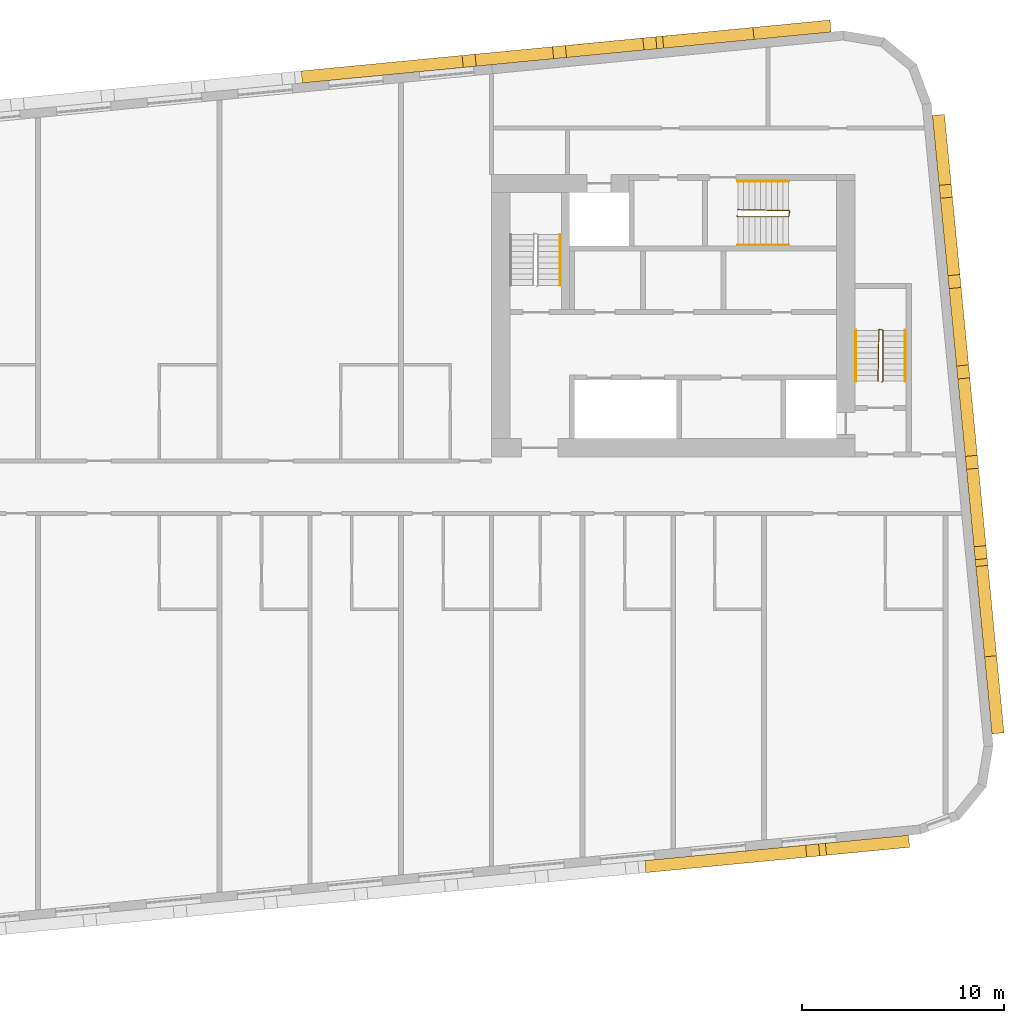
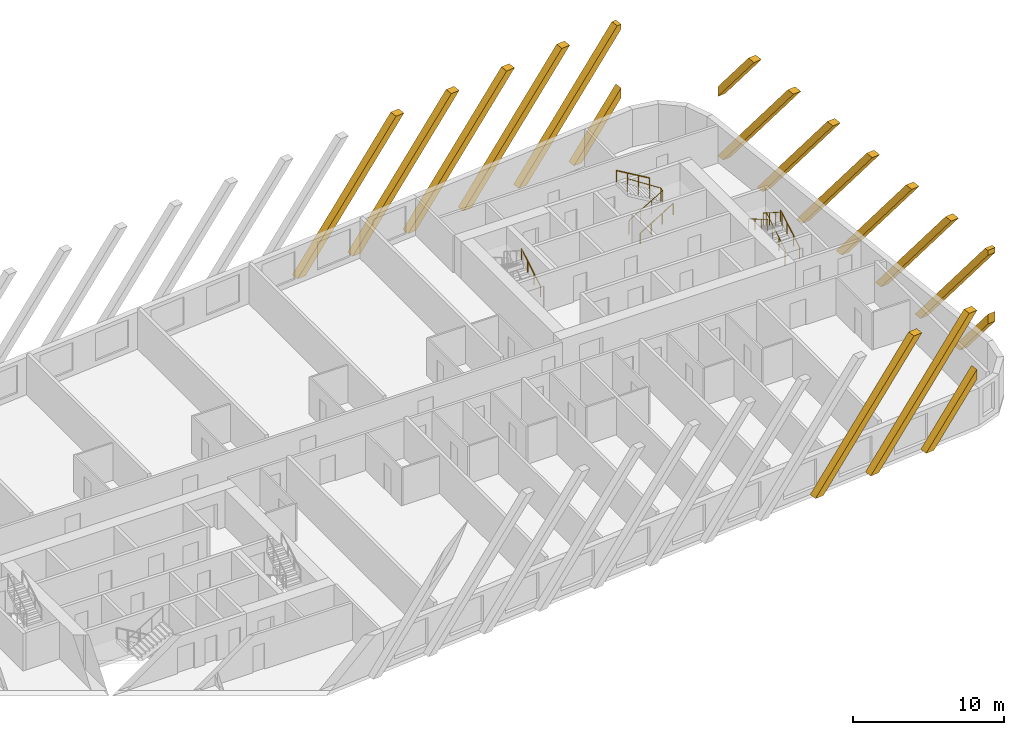
# One storey, part 12 of 12: 17 coverings, 7 railings.
"""IFC4 building model written with IfcOpenShell, lengths in metres."""

from ifc_helpers import new_model, si_unit, direction, frame, origin, origin_2d, place, context, subcontext, project, spatial, polyline, rectangle, circle, outline, extrude, material, material_profile, profile_set, type_object, element, save


model = new_model("IFC4")

# Units and contexts
model_context = context("Model", 3, precision=1e-05, world=origin(), true_north=direction((0.0, 1.0)))
body_context = subcontext(model_context, "Body", "Model", "MODEL_VIEW")
ifc_project = project(units=[si_unit("LENGTHUNIT", "METRE"), si_unit("AREAUNIT", "SQUARE_METRE"), si_unit("VOLUMEUNIT", "CUBIC_METRE"), si_unit("PLANEANGLEUNIT", "RADIAN"), si_unit("MASSUNIT", "GRAM", prefix="KILO")], contexts=[model_context])

# Site, building, storey
site_placement = place(None, origin())
site = spatial("IfcSite", under=ifc_project, at=site_placement, CompositionType="ELEMENT")
building_placement = place(site_placement, origin())
building = spatial("IfcBuilding", under=site, at=building_placement, Name="Kajstack Hotel Tower", CompositionType="ELEMENT")
storey_placement = place(building_placement, frame((0.0, 0.0, 278.39990234375)))
storey = spatial("IfcBuildingStorey", under=building, at=storey_placement, Name="L69", CompositionType="ELEMENT", Elevation=278.39990234375)

# Coverings
ifc_material_1 = material(Name="Terracotta", Category="masonry")
ifc_material_profile = material_profile(ifc_material_1, rectangle(XDim=0.60009765625, YDim=0.5, at=origin_2d()), Name="Terracotta-clad concrete baguette 500 x 600")
ifc_profile_set = profile_set([ifc_material_profile], Name="Terracotta")
covering_type = type_object("IfcCoveringType", Name="BAGUETTE 500x600", PredefinedType="CLADDING", material=ifc_profile_set)
covering_1_placement = place(storey_placement, frame((21.082763671875, -18.51806640625, 0.0), z_axis=(0.095634862357, -0.995416482233, 0.0), x_axis=(0.995416482233, 0.095634862357, 0.0)))
element("IfcCovering", 1, at=covering_1_placement, inside=storey, type_object=covering_type, Name="Baguette L69-04-053", PredefinedType="CLADDING", context=body_context, shape_type="SweptSolid", body=[
    extrude(outline(polyline([(8.016845703125, 9.89990234375), (0.0, 0.0), (0.643310546875, 0.0), (8.66015625, 9.89990234375), (8.016845703125, 9.89990234375)])), origin(), (0.0, 0.0, 1.0), 0.599853515625),
])
covering_2_placement = place(storey_placement, frame((25.56201171875, -18.086669921875, 0.0), z_axis=(0.095634862357, -0.995416482233, 0.0), x_axis=(0.995416482233, 0.095634862357, 0.0)))
element("IfcCovering", 2, at=covering_2_placement, inside=storey, type_object=covering_type, Name="Baguette L69-04-057", PredefinedType="CLADDING", context=body_context, shape_type="SweptSolid", body=[
    extrude(outline(polyline([(0.643310546875, 0.0), (8.638671875, 9.873291015625), (8.638671875, 9.89990234375), (8.016845703125, 9.89990234375), (0.0, 0.0), (0.643310546875, 0.0)])), origin(), (0.0, 0.0, 1.0), 0.599853515625),
])
covering_3_placement = place(storey_placement, frame((30.041259765625, -17.6552734375, 0.0), z_axis=(0.095999188106, -0.995381412265, 0.0), x_axis=(0.995381412265, 0.095999188106, 0.0)))
element("IfcCovering", 3, at=covering_3_placement, inside=storey, type_object=covering_type, Name="Baguette L69-04-061", PredefinedType="CLADDING", context=body_context, shape_type="SweptSolid", body=[
    extrude(outline(polyline([(0.643310546875, 0.0), (4.138671875, 4.31640625), (4.138671875, 5.11083984375), (0.0, 0.0), (0.643310546875, 0.0)])), origin(), (0.0, 0.0, 1.0), 0.60009765625),
])
covering_4_placement = place(storey_placement, frame((38.298828125, -12.239013671875, 0.0), z_axis=(0.995416482233, 0.095634862357, 0.0), x_axis=(-0.095634862357, 0.995416482233, 0.0)))
element("IfcCovering", 4, at=covering_4_placement, inside=storey, type_object=covering_type, Name="Baguette L69-08-001", PredefinedType="CLADDING", context=body_context, shape_type="SweptSolid", body=[
    extrude(outline(polyline([(3.838623046875, 0.0), (0.0, 4.740234375), (0.0, 3.94580078125), (3.195068359375, 0.0), (3.838623046875, 0.0)])), origin(), (0.0, 0.0, 1.0), 0.599853515625),
])
covering_5_placement = place(storey_placement, frame((38.298828125, -12.239013671875, 0.0), z_axis=(0.995416482233, 0.095634862357, 0.0), x_axis=(-0.095634862357, 0.995416482233, 0.0)))
element("IfcCovering", 5, at=covering_5_placement, inside=storey, type_object=covering_type, Name="Baguette L69-08-005", PredefinedType="CLADDING", context=body_context, shape_type="SweptSolid", body=[
    extrude(outline(polyline([(0.32177734375, 9.89990234375), (0.0, 9.89990234375), (0.0, 9.502685546875), (7.695068359375, 0.0), (8.338623046875, 0.0), (0.32177734375, 9.89990234375)])), origin(), (0.0, 0.0, 1.0), 0.599853515625),
])
covering_6_placement = place(storey_placement, frame((37.898193359375, -8.080078125, 0.0), z_axis=(0.995381412265, 0.095999188106, 0.0), x_axis=(-0.095999188106, 0.995381412265, 0.0)))
element("IfcCovering", 6, at=covering_6_placement, inside=storey, type_object=covering_type, Name="Baguette L69-08-009", PredefinedType="CLADDING", context=body_context, shape_type="SweptSolid", body=[
    extrude(outline(polyline([(0.0, 9.89990234375), (8.016845703125, 0.0), (8.66015625, 0.0), (0.643310546875, 9.89990234375), (0.0, 9.89990234375)])), origin(), (0.0, 0.0, 1.0), 0.60009765625),
])
for number, where, z_axis, x_axis, name in (
    (7, (37.467041015625, -3.6005859375, 0.0), (0.995416482233, 0.095634862357, 0.0), (-0.095634862357, 0.995416482233, 0.0), "Baguette L69-08-013"),
    (8, (37.03564453125, 0.878662109375, 0.0), (0.995416482233, 0.095634862357, 0.0), (-0.095634862357, 0.995416482233, 0.0), "Baguette L69-08-017"),
    (9, (36.6044921875, 5.35791015625, 0.0), (0.995416482233, 0.095634862357, 0.0), (-0.095634862357, 0.995416482233, 0.0), "Baguette L69-08-021"),
):
    element("IfcCovering", number, at=place(storey_placement, frame(where, z_axis=z_axis, x_axis=x_axis)), inside=storey, type_object=covering_type, Name=name, PredefinedType="CLADDING", context=body_context, shape_type="SweptSolid", body=[
        extrude(outline(polyline([(0.0, 9.89990234375), (8.016845703125, 0.0), (8.66015625, 0.0), (0.643310546875, 9.89990234375), (0.0, 9.89990234375)])), origin(), (0.0, 0.0, 1.0), 0.599853515625),
    ])
covering_7_placement = place(storey_placement, frame((36.173095703125, 9.837158203125, 0.0), z_axis=(0.995377661201, 0.096038073607, 0.0), x_axis=(-0.096038073607, 0.995377661201, 0.0)))
element("IfcCovering", 10, at=covering_7_placement, inside=storey, type_object=covering_type, Name="Baguette L69-08-025", PredefinedType="CLADDING", context=body_context, shape_type="SweptSolid", body=[
    extrude(outline(polyline([(8.016845703125, 0.0), (8.62158203125, 0.0), (8.62158203125, 0.047607421875), (0.643310546875, 9.89990234375), (0.0, 9.89990234375), (8.016845703125, 0.0)])), origin(), (0.0, 0.0, 1.0), 0.599853515625),
])
covering_8_placement = place(storey_placement, frame((35.74169921875, 14.31640625, 0.0), z_axis=(0.995381412265, 0.095999188106, 0.0), x_axis=(-0.095999188106, 0.995381412265, 0.0)))
element("IfcCovering", 11, at=covering_8_placement, inside=storey, type_object=covering_type, Name="Baguette L69-08-029", PredefinedType="CLADDING", context=body_context, shape_type="SweptSolid", body=[
    extrude(outline(polyline([(0.0, 9.89990234375), (4.12158203125, 4.81005859375), (4.12158203125, 5.604736328125), (0.643310546875, 9.89990234375), (0.0, 9.89990234375)])), origin(), (0.0, 0.0, 1.0), 0.60009765625),
])
covering_9_placement = place(storey_placement, frame((30.3271484375, 22.55712890625, 0.0), z_axis=(-0.096038073607, 0.995377661201, 0.0), x_axis=(-0.995377661201, -0.096038073607, 0.0)))
element("IfcCovering", 12, at=covering_9_placement, inside=storey, type_object=covering_type, Name="Baguette L69-12-001", PredefinedType="CLADDING", context=body_context, shape_type="SweptSolid", body=[
    extrude(outline(polyline([(3.838623046875, 0.0), (0.0, 4.740234375), (0.0, 3.94580078125), (3.195068359375, 0.0), (3.838623046875, 0.0)])), origin(), (0.0, 0.0, 1.0), 0.599853515625),
])
covering_10_placement = place(storey_placement, frame((30.3271484375, 22.55712890625, 0.0), z_axis=(-0.096038073607, 0.995377661201, 0.0), x_axis=(-0.995377661201, -0.096038073607, 0.0)))
element("IfcCovering", 13, at=covering_10_placement, inside=storey, type_object=covering_type, Name="Baguette L69-12-005", PredefinedType="CLADDING", context=body_context, shape_type="SweptSolid", body=[
    extrude(outline(polyline([(0.32177734375, 9.89990234375), (0.0, 9.89990234375), (0.0, 9.502685546875), (7.695068359375, 0.0), (8.338623046875, 0.0), (0.32177734375, 9.89990234375)])), origin(), (0.0, 0.0, 1.0), 0.599853515625),
])
for number, where, z_axis, x_axis, name in (
    (14, (26.16796875, 22.15673828125, 0.0), (-0.095634862357, 0.995416482233, 0.0), (-0.995416482233, -0.095634862357, 0.0), "Baguette L69-12-009"),
    (15, (21.688720703125, 21.725341796875, 0.0), (-0.096038073607, 0.995377661201, 0.0), (-0.995377661201, -0.096038073607, 0.0), "Baguette L69-12-013"),
):
    element("IfcCovering", number, at=place(storey_placement, frame(where, z_axis=z_axis, x_axis=x_axis)), inside=storey, type_object=covering_type, Name=name, PredefinedType="CLADDING", context=body_context, shape_type="SweptSolid", body=[
        extrude(outline(polyline([(0.0, 9.89990234375), (8.016845703125, 0.0), (8.66015625, 0.0), (0.643310546875, 9.89990234375), (0.0, 9.89990234375)])), origin(), (0.0, 0.0, 1.0), 0.599853515625),
    ])
covering_11_placement = place(storey_placement, frame((17.20947265625, 21.2939453125, 0.0), z_axis=(-0.095999188106, 0.995381412265, 0.0), x_axis=(-0.995381412265, -0.095999188106, 0.0)))
element("IfcCovering", 16, at=covering_11_placement, inside=storey, type_object=covering_type, Name="Baguette L69-12-017", PredefinedType="CLADDING", context=body_context, shape_type="SweptSolid", body=[
    extrude(outline(polyline([(0.0, 9.89990234375), (8.016845703125, 0.0), (8.66015625, 0.0), (0.643310546875, 9.89990234375), (0.0, 9.89990234375)])), origin(), (0.0, 0.0, 1.0), 0.60009765625),
])
covering_12_placement = place(storey_placement, frame((12.730224609375, 20.86279296875, 0.0), z_axis=(-0.096038073607, 0.995377661201, 0.0), x_axis=(-0.995377661201, -0.096038073607, 0.0)))
element("IfcCovering", 17, at=covering_12_placement, inside=storey, type_object=covering_type, Name="Baguette L69-12-021", PredefinedType="CLADDING", context=body_context, shape_type="SweptSolid", body=[
    extrude(outline(polyline([(0.0, 9.89990234375), (8.016845703125, 0.0), (8.66015625, 0.0), (0.643310546875, 9.89990234375), (0.0, 9.89990234375)])), origin(), (0.0, 0.0, 1.0), 0.599853515625),
])

# Railings
ifc_material_2 = material(Name="Steel S355J2", Category="steel")
railing_type_1 = type_object("IfcRailingType", Name="Stair guard 1100", PredefinedType="GUARDRAIL", material=ifc_material_2)
railing_1_placement = place(storey_placement, frame((32.85009765625, 5.199951171875, 0.0)))
element("IfcRailing", 18, at=railing_1_placement, inside=storey, type_object=railing_type_1, Name="L69 E1 stair guard 1", PredefinedType="GUARDRAIL", context=body_context, shape_type="SweptSolid", body=[
    extrude(circle(Radius=0.02392578125, at=origin_2d()), frame((0.0, 0.0, 1.076171875), z_axis=(0.277450376394, 0.278810427259, 0.919394384522), x_axis=(-0.708833529934, 0.705375805398, 0.0)), (0.0, 0.0, 1.0), 0.179443359375),
    extrude(circle(Radius=0.02392578125, at=origin_2d()), frame((0.0498046875, 0.050048828125, 1.2412109375), z_axis=(0.0, 0.86152411907, 0.507716645641), x_axis=(-1.0, 0.0, 0.0)), (0.0, 0.0, 1.0), 2.925048828125),
    extrude(circle(Radius=0.02392578125, at=origin_2d()), frame((0.0498046875, 2.570068359375, 2.72607421875), z_axis=(-0.970072785993, 0.242814311512, 0.0), x_axis=(-0.242814311512, -0.970072785993, 0.0)), (0.0, 0.0, 1.0), 0.2060546875),
    extrude(circle(Radius=0.02392578125, at=origin_2d()), frame((-0.150146484375, 2.6201171875, 2.72607421875), z_axis=(-0.016385308676, -0.841405582595, 0.540155687962), x_axis=(0.999810440751, -0.019470042781, 0.0)), (0.0, 0.0, 1.0), 3.054443359375),
    extrude(circle(Radius=0.02099609375, at=origin_2d()), origin(), (0.0, 0.0, 1.0), 1.052001953125),
    extrude(circle(Radius=0.02099609375, at=origin_2d()), frame((0.0498046875, 0.050048828125, 0.1650390625)), (0.0, 0.0, 1.0), 1.052001953125),
    extrude(circle(Radius=0.02099609375, at=origin_2d()), frame((0.0498046875, 0.89013671875, 0.66015625)), (0.0, 0.0, 1.0), 1.052001953125),
    extrude(circle(Radius=0.02099609375, at=origin_2d()), frame((0.0498046875, 1.72998046875, 1.155029296875)), (0.0, 0.0, 1.0), 1.052001953125),
    extrude(circle(Radius=0.02099609375, at=origin_2d()), frame((0.0498046875, 2.570068359375, 1.650146484375)), (0.0, 0.0, 1.0), 1.052001953125),
    extrude(circle(Radius=0.02099609375, at=origin_2d()), frame((-0.150146484375, 2.6201171875, 1.650146484375)), (0.0, 0.0, 1.0), 1.052001953125),
    extrude(circle(Radius=0.02099609375, at=origin_2d()), frame((-0.166748046875, 1.763427734375, 2.2001953125)), (0.0, 0.0, 1.0), 1.052001953125),
    extrude(circle(Radius=0.02099609375, at=origin_2d()), frame((-0.18359375, 0.90673828125, 2.75)), (0.0, 0.0, 1.0), 1.052001953125),
    extrude(circle(Radius=0.02099609375, at=origin_2d()), frame((-0.2001953125, 0.050048828125, 3.300048828125)), (0.0, 0.0, 1.0), 1.052001953125),
])
railing_2_placement = place(storey_placement, frame((25.64990234375, 13.449951171875, 0.0)))
element("IfcRailing", 19, at=railing_2_placement, inside=storey, type_object=railing_type_1, Name="L69 E3 stair guard 1", PredefinedType="GUARDRAIL", context=body_context, shape_type="SweptSolid", body=[
    extrude(circle(Radius=0.02392578125, at=origin_2d()), frame((0.0, 0.0, 1.076171875), z_axis=(0.278705021027, -0.278705021027, 0.919046801044), x_axis=(0.707106781187, 0.707106781187, 0.0)), (0.0, 0.0, 1.0), 0.1796875),
    extrude(circle(Radius=0.02392578125, at=origin_2d()), frame((0.050048828125, -0.050048828125, 1.2412109375), z_axis=(0.86152411907, 0.0, 0.507716645641), x_axis=(0.0, 1.0, 0.0)), (0.0, 0.0, 1.0), 2.925048828125),
    extrude(circle(Radius=0.02392578125, at=origin_2d()), frame((2.570068359375, -0.050048828125, 2.72607421875), z_axis=(0.164529134168, 0.986372223864, 0.0), x_axis=(-0.986372223864, 0.164529134168, 0.0)), (0.0, 0.0, 1.0), 0.30419921875),
    extrude(circle(Radius=0.02392578125, at=origin_2d()), frame((2.6201171875, 0.25, 2.72607421875), z_axis=(-0.841405582595, 0.016385308676, 0.540155687962), x_axis=(-0.019470042781, -0.999810440751, 0.0)), (0.0, 0.0, 1.0), 3.054443359375),
    extrude(circle(Radius=0.02099609375, at=origin_2d()), origin(), (0.0, 0.0, 1.0), 1.052001953125),
    extrude(circle(Radius=0.02099609375, at=origin_2d()), frame((0.050048828125, -0.050048828125, 0.1650390625)), (0.0, 0.0, 1.0), 1.052001953125),
    extrude(circle(Radius=0.02099609375, at=origin_2d()), frame((0.89013671875, -0.050048828125, 0.66015625)), (0.0, 0.0, 1.0), 1.052001953125),
    extrude(circle(Radius=0.02099609375, at=origin_2d()), frame((1.72998046875, -0.050048828125, 1.155029296875)), (0.0, 0.0, 1.0), 1.052001953125),
    extrude(circle(Radius=0.02099609375, at=origin_2d()), frame((2.570068359375, -0.050048828125, 1.650146484375)), (0.0, 0.0, 1.0), 1.052001953125),
    extrude(circle(Radius=0.02099609375, at=origin_2d()), frame((2.6201171875, 0.25, 1.650146484375)), (0.0, 0.0, 1.0), 1.052001953125),
    extrude(circle(Radius=0.02099609375, at=origin_2d()), frame((1.763427734375, 0.2666015625, 2.2001953125)), (0.0, 0.0, 1.0), 1.052001953125),
    extrude(circle(Radius=0.02099609375, at=origin_2d()), frame((0.90673828125, 0.283447265625, 2.75)), (0.0, 0.0, 1.0), 1.052001953125),
    extrude(circle(Radius=0.02099609375, at=origin_2d()), frame((0.050048828125, 0.300048828125, 3.300048828125)), (0.0, 0.0, 1.0), 1.052001953125),
])
railing_type_2 = type_object("IfcRailingType", Name="Stair handrail 900", PredefinedType="HANDRAIL", material=ifc_material_2)
railing_3_placement = place(storey_placement, frame((34.0, 5.25, 0.1650390625)))
element("IfcRailing", 20, at=railing_3_placement, inside=storey, type_object=railing_type_2, Name="L69 E1 stair handrail 1", PredefinedType="HANDRAIL", context=body_context, shape_type="SweptSolid", body=[
    extrude(circle(Radius=0.02392578125, at=origin_2d()), frame((0.0, 0.0, 0.8759765625), z_axis=(0.0, 0.86152411907, 0.507716645641), x_axis=(-1.0, 0.0, 0.0)), (0.0, 0.0, 1.0), 2.925048828125),
    extrude(circle(Radius=0.02099609375, at=origin_2d()), origin(), (0.0, 0.0, 1.0), 0.851806640625),
    extrude(circle(Radius=0.02099609375, at=origin_2d()), frame((0.0, 0.840087890625, 0.4951171875)), (0.0, 0.0, 1.0), 0.851806640625),
    extrude(circle(Radius=0.02099609375, at=origin_2d()), frame((0.0, 1.679931640625, 0.989990234375)), (0.0, 0.0, 1.0), 0.851806640625),
    extrude(circle(Radius=0.02099609375, at=origin_2d()), frame((0.0, 2.52001953125, 1.485107421875)), (0.0, 0.0, 1.0), 0.851806640625),
])
railing_4_placement = place(storey_placement, frame((31.550048828125, 7.77001953125, 1.815185546875)))
element("IfcRailing", 21, at=railing_4_placement, inside=storey, type_object=railing_type_2, Name="L69 E1 stair handrail 2", PredefinedType="HANDRAIL", context=body_context, shape_type="SweptSolid", body=[
    extrude(circle(Radius=0.02392578125, at=origin_2d()), frame((0.0, 0.0, 0.8759765625), z_axis=(0.0, -0.861560626758, 0.507654692109), x_axis=(1.0, 0.0, 0.0)), (0.0, 0.0, 1.0), 2.925048828125),
    extrude(circle(Radius=0.02099609375, at=origin_2d()), origin(), (0.0, 0.0, 1.0), 0.851806640625),
    extrude(circle(Radius=0.02099609375, at=origin_2d()), frame((0.0, -0.840087890625, 0.494873046875)), (0.0, 0.0, 1.0), 0.851806640625),
    extrude(circle(Radius=0.02099609375, at=origin_2d()), frame((0.0, -1.679931640625, 0.989990234375)), (0.0, 0.0, 1.0), 0.851806640625),
    extrude(circle(Radius=0.02099609375, at=origin_2d()), frame((0.0, -2.52001953125, 1.48486328125)), (0.0, 0.0, 1.0), 0.851806640625),
])
railing_5_placement = place(storey_placement, frame((16.89990234375, 10.0, 0.1650390625)))
element("IfcRailing", 22, at=railing_5_placement, inside=storey, type_object=railing_type_2, Name="L69 E2 stair handrail 1", PredefinedType="HANDRAIL", context=body_context, shape_type="SweptSolid", body=[
    extrude(circle(Radius=0.02392578125, at=origin_2d()), frame((0.0, 0.0, 0.8759765625), z_axis=(0.0, 0.86152411907, 0.507716645641), x_axis=(-1.0, 0.0, 0.0)), (0.0, 0.0, 1.0), 2.925048828125),
    extrude(circle(Radius=0.02099609375, at=origin_2d()), origin(), (0.0, 0.0, 1.0), 0.851806640625),
    extrude(circle(Radius=0.02099609375, at=origin_2d()), frame((0.0, 0.840087890625, 0.4951171875)), (0.0, 0.0, 1.0), 0.851806640625),
    extrude(circle(Radius=0.02099609375, at=origin_2d()), frame((0.0, 1.679931640625, 0.989990234375)), (0.0, 0.0, 1.0), 0.851806640625),
    extrude(circle(Radius=0.02099609375, at=origin_2d()), frame((0.0, 2.52001953125, 1.485107421875)), (0.0, 0.0, 1.0), 0.851806640625),
])
railing_6_placement = place(storey_placement, frame((25.699951171875, 12.0, 0.1650390625)))
element("IfcRailing", 23, at=railing_6_placement, inside=storey, type_object=railing_type_2, Name="L69 E3 stair handrail 1", PredefinedType="HANDRAIL", context=body_context, shape_type="SweptSolid", body=[
    extrude(circle(Radius=0.02392578125, at=origin_2d()), frame((0.0, 0.0, 0.8759765625), z_axis=(0.86152411907, 0.0, 0.507716645641), x_axis=(0.0, 1.0, 0.0)), (0.0, 0.0, 1.0), 2.925048828125),
    extrude(circle(Radius=0.02099609375, at=origin_2d()), origin(), (0.0, 0.0, 1.0), 0.851806640625),
    extrude(circle(Radius=0.02099609375, at=origin_2d()), frame((0.840087890625, 0.0, 0.4951171875)), (0.0, 0.0, 1.0), 0.851806640625),
    extrude(circle(Radius=0.02099609375, at=origin_2d()), frame((1.679931640625, 0.0, 0.989990234375)), (0.0, 0.0, 1.0), 0.851806640625),
    extrude(circle(Radius=0.02099609375, at=origin_2d()), frame((2.52001953125, 0.0, 1.485107421875)), (0.0, 0.0, 1.0), 0.851806640625),
])
railing_7_placement = place(storey_placement, frame((28.219970703125, 15.14990234375, 1.815185546875)))
element("IfcRailing", 24, at=railing_7_placement, inside=storey, type_object=railing_type_2, Name="L69 E3 stair handrail 2", PredefinedType="HANDRAIL", context=body_context, shape_type="SweptSolid", body=[
    extrude(circle(Radius=0.02392578125, at=origin_2d()), frame((0.0, 0.0, 0.8759765625), z_axis=(-0.861560626758, 0.0, 0.507654692109), x_axis=(0.0, -1.0, 0.0)), (0.0, 0.0, 1.0), 2.925048828125),
    extrude(circle(Radius=0.02099609375, at=origin_2d()), origin(), (0.0, 0.0, 1.0), 0.851806640625),
    extrude(circle(Radius=0.02099609375, at=origin_2d()), frame((-0.840087890625, 0.0, 0.494873046875)), (0.0, 0.0, 1.0), 0.851806640625),
    extrude(circle(Radius=0.02099609375, at=origin_2d()), frame((-1.679931640625, 0.0, 0.989990234375)), (0.0, 0.0, 1.0), 0.851806640625),
    extrude(circle(Radius=0.02099609375, at=origin_2d()), frame((-2.52001953125, 0.0, 1.48486328125)), (0.0, 0.0, 1.0), 0.851806640625),
])

save(model, "model.ifc")
